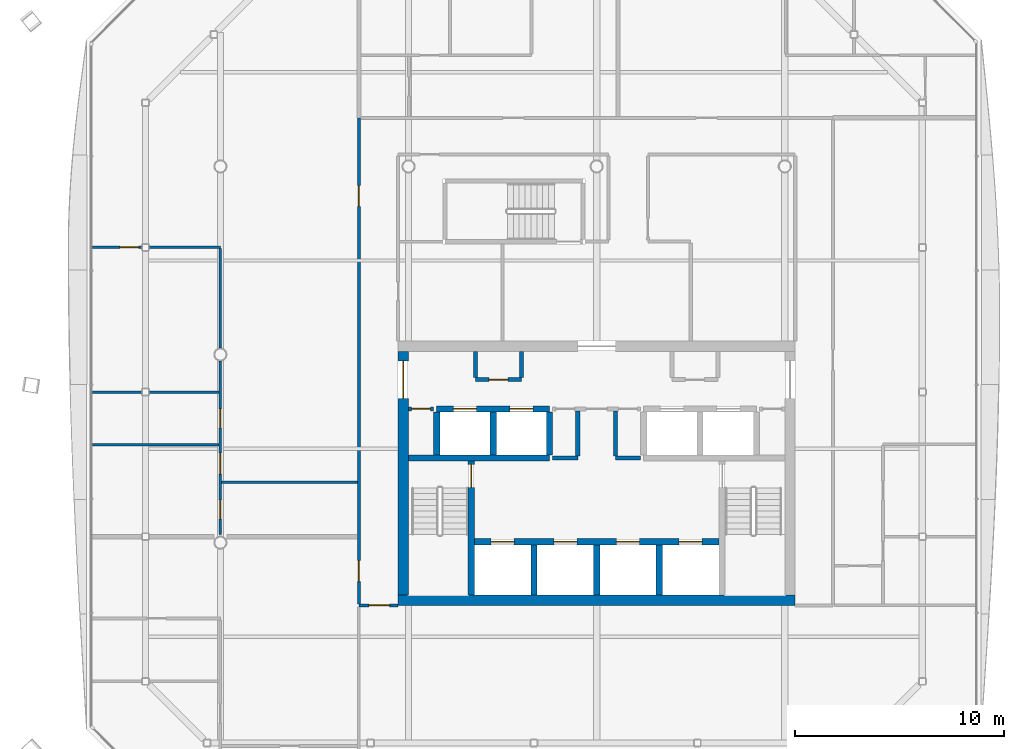
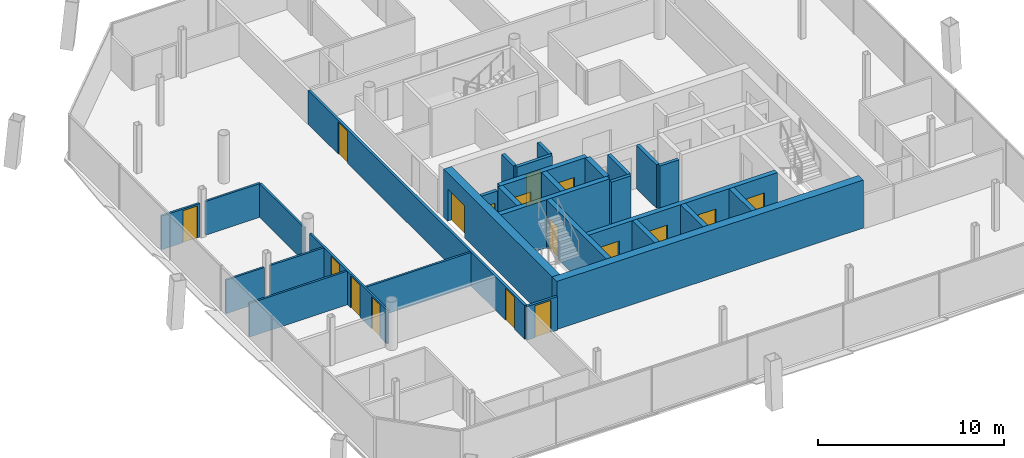
# One storey, part 14 of 20: 30 walls, 17 doors, 17 openings.
"""IFC4 building model written with IfcOpenShell, lengths in metres."""

from ifc_helpers import new_model, si_unit, direction, frame, frame_2d, origin, place, context, subcontext, project, spatial, rectangle, extrude, material, layer, layer_set, type_object, element, fill, save


model = new_model("IFC4")

# Units and contexts
model_context = context("Model", 3, precision=1e-05, world=origin(), true_north=direction((0.0, 1.0)))
body_context = subcontext(model_context, "Body", "Model", "MODEL_VIEW")
ifc_project = project(units=[si_unit("LENGTHUNIT", "METRE"), si_unit("AREAUNIT", "SQUARE_METRE"), si_unit("VOLUMEUNIT", "CUBIC_METRE"), si_unit("PLANEANGLEUNIT", "RADIAN"), si_unit("MASSUNIT", "GRAM", prefix="KILO")], contexts=[model_context])

# Site, building, storey
site_placement = place(None, origin())
site = spatial("IfcSite", under=ifc_project, at=site_placement, CompositionType="ELEMENT")
building_placement = place(site_placement, origin())
building = spatial("IfcBuilding", under=site, at=building_placement, Name="Tskaro Facet Tower", CompositionType="ELEMENT")
storey_placement = place(building_placement, frame((0.0, 0.0, 175.35009765625)))
storey = spatial("IfcBuildingStorey", under=building, at=storey_placement, Name="L43", CompositionType="ELEMENT", Elevation=175.35009765625)

# Wall, openings, doors
ifc_material_1 = material(Name="Concrete C60/75", Category="concrete")
ifc_layer_1 = layer(ifc_material_1, 0.300048828125, Name="Concrete C60/75")
ifc_layer_set_1 = layer_set([ifc_layer_1], Name="Concrete C60/75")
wall_type_1 = type_object("IfcWallType", Name="CORE-SHAFT", PredefinedType="SHEAR", material=ifc_layer_set_1)
wall_1_placement = place(storey_placement, frame((-5.85009765625, -8.949951171875, 0.0), z_axis=(0.0, 0.0, 1.0), x_axis=(1.0, 0.0, 0.0)))
wall_1 = element("IfcWall", 1, at=wall_1_placement, inside=storey, type_object=wall_type_1, Name="Shaft wall W009", PredefinedType="SHEAR", context=body_context, shape_type="SweptSolid", body=[
    extrude(rectangle(XDim=11.7001953125, YDim=0.300048828125, at=frame_2d((5.85009765625, 0.0))), origin(), (0.0, 0.0, 1.0), 3.14990234375),
])
opening_1_placement = place(wall_1_placement, frame((0.800048828125, 0.0, 0.0)))
opening_1 = element("IfcOpeningElement", 2, at=opening_1_placement, cuts=wall_1, Name="Opening LD-FF1", PredefinedType="OPENING", context=body_context, shape_type="SweptSolid", body=[
    extrude(rectangle(XDim=1.10009765625, YDim=2.10009765625, at=frame_2d((0.550048828125, 1.050048828125))), frame((0.0, 0.159912109375, 0.0), z_axis=(0.0, -1.0, 0.0), x_axis=(1.0, 0.0, 0.0)), (0.0, 0.0, 1.0), 0.320068359375),
])
opening_2_placement = place(wall_1_placement, frame((3.800048828125, 0.0, 0.0)))
opening_2 = element("IfcOpeningElement", 3, at=opening_2_placement, cuts=wall_1, Name="Opening LD-FF2", PredefinedType="OPENING", context=body_context, shape_type="SweptSolid", body=[
    extrude(rectangle(XDim=1.10009765625, YDim=2.10009765625, at=frame_2d((0.550048828125, 1.050048828125))), frame((0.0, 0.159912109375, 0.0), z_axis=(0.0, -1.0, 0.0), x_axis=(1.0, 0.0, 0.0)), (0.0, 0.0, 1.0), 0.320068359375),
])
opening_3_placement = place(wall_1_placement, frame((6.800048828125, 0.0, 0.0)))
opening_3 = element("IfcOpeningElement", 4, at=opening_3_placement, cuts=wall_1, Name="Opening LD-SV1", PredefinedType="OPENING", context=body_context, shape_type="SweptSolid", body=[
    extrude(rectangle(XDim=1.10009765625, YDim=2.10009765625, at=frame_2d((0.550048828125, 1.050048828125))), frame((0.0, 0.159912109375, 0.0), z_axis=(0.0, -1.0, 0.0), x_axis=(1.0, 0.0, 0.0)), (0.0, 0.0, 1.0), 0.320068359375),
])
opening_4_placement = place(wall_1_placement, frame((9.800048828125, 0.0, 0.0)))
opening_4 = element("IfcOpeningElement", 5, at=opening_4_placement, cuts=wall_1, Name="Opening LD-SV2", PredefinedType="OPENING", context=body_context, shape_type="SweptSolid", body=[
    extrude(rectangle(XDim=1.10009765625, YDim=2.10009765625, at=frame_2d((0.550048828125, 1.050048828125))), frame((0.0, 0.159912109375, 0.0), z_axis=(0.0, -1.0, 0.0), x_axis=(1.0, 0.0, 0.0)), (0.0, 0.0, 1.0), 0.320068359375),
])
ifc_material_2 = material(Name="Stainless steel", Category="steel")
door_type_1 = type_object("IfcDoorType", Name="D-LANDING", OperationType="NOTDEFINED", PredefinedType="DOOR", material=ifc_material_2)
door_1_placement = place(opening_1_placement, origin())
door_1 = element("IfcDoor", 6, at=door_1_placement, inside=storey, type_object=door_type_1, Name="Landing door FF1", OperationType="DOUBLE_DOOR_SLIDING", OverallHeight=2.10009765625, OverallWidth=1.10009765625, PredefinedType="DOOR", context=body_context, shape_type="SweptSolid", body=[
    extrude(rectangle(XDim=1.10009765625, YDim=2.10009765625, at=frame_2d((0.550048828125, 1.050048828125))), frame((0.0, 0.02490234375, 0.0), z_axis=(0.0, -1.0, 0.0), x_axis=(1.0, 0.0, 0.0)), (0.0, 0.0, 1.0), 0.050048828125),
])
fill(opening_1, door_1)
door_2_placement = place(opening_2_placement, origin())
door_2 = element("IfcDoor", 7, at=door_2_placement, inside=storey, type_object=door_type_1, Name="Landing door FF2", OperationType="DOUBLE_DOOR_SLIDING", OverallHeight=2.10009765625, OverallWidth=1.10009765625, PredefinedType="DOOR", context=body_context, shape_type="SweptSolid", body=[
    extrude(rectangle(XDim=1.10009765625, YDim=2.10009765625, at=frame_2d((0.550048828125, 1.050048828125))), frame((0.0, 0.02490234375, 0.0), z_axis=(0.0, -1.0, 0.0), x_axis=(1.0, 0.0, 0.0)), (0.0, 0.0, 1.0), 0.050048828125),
])
fill(opening_2, door_2)
door_3_placement = place(opening_3_placement, origin())
door_3 = element("IfcDoor", 8, at=door_3_placement, inside=storey, type_object=door_type_1, Name="Landing door SV1", OperationType="DOUBLE_DOOR_SLIDING", OverallHeight=2.10009765625, OverallWidth=1.10009765625, PredefinedType="DOOR", context=body_context, shape_type="SweptSolid", body=[
    extrude(rectangle(XDim=1.10009765625, YDim=2.10009765625, at=frame_2d((0.550048828125, 1.050048828125))), frame((0.0, 0.02490234375, 0.0), z_axis=(0.0, -1.0, 0.0), x_axis=(1.0, 0.0, 0.0)), (0.0, 0.0, 1.0), 0.050048828125),
])
fill(opening_3, door_3)
door_4_placement = place(opening_4_placement, origin())
door_4 = element("IfcDoor", 9, at=door_4_placement, inside=storey, type_object=door_type_1, Name="Landing door SV2", OperationType="DOUBLE_DOOR_SLIDING", OverallHeight=2.10009765625, OverallWidth=1.10009765625, PredefinedType="DOOR", context=body_context, shape_type="SweptSolid", body=[
    extrude(rectangle(XDim=1.10009765625, YDim=2.10009765625, at=frame_2d((0.550048828125, 1.050048828125))), frame((0.0, 0.02490234375, 0.0), z_axis=(0.0, -1.0, 0.0), x_axis=(1.0, 0.0, 0.0)), (0.0, 0.0, 1.0), 0.050048828125),
])
fill(opening_4, door_4)

# Wall
wall_2_placement = place(storey_placement, frame((-9.0, -4.949951171875, 0.0), z_axis=(0.0, 0.0, 1.0), x_axis=(1.0, 0.0, 0.0)))
element("IfcWall", 10, at=wall_2_placement, inside=storey, type_object=wall_type_1, Name="Shaft wall W016", PredefinedType="SHEAR", context=body_context, shape_type="SweptSolid", body=[
    extrude(rectangle(XDim=6.75, YDim=0.300048828125, at=frame_2d((3.375, 0.0))), origin(), (0.0, 0.0, 1.0), 3.14990234375),
])

# Wall, openings, doors
wall_3_placement = place(storey_placement, frame((-7.64990234375, -2.60009765625, 0.0), z_axis=(0.0, 0.0, 1.0), x_axis=(1.0, 0.0, 0.0)))
wall_3 = element("IfcWall", 11, at=wall_3_placement, inside=storey, type_object=wall_type_1, Name="Shaft wall W023", PredefinedType="SHEAR", context=body_context, shape_type="SweptSolid", body=[
    extrude(rectangle(XDim=5.39990234375, YDim=0.300048828125, at=frame_2d((2.699951171875, 0.0))), origin(), (0.0, 0.0, 1.0), 3.14990234375),
])
opening_5_placement = place(wall_3_placement, frame((0.800048828125, 0.0, 0.0)))
opening_5 = element("IfcOpeningElement", 12, at=opening_5_placement, cuts=wall_3, Name="Opening LD-HB1", PredefinedType="OPENING", context=body_context, shape_type="SweptSolid", body=[
    extrude(rectangle(XDim=1.10009765625, YDim=2.10009765625, at=frame_2d((0.550048828125, 1.050048828125))), frame((0.0, 0.159912109375, 0.0), z_axis=(0.0, -1.0, 0.0), x_axis=(1.0, 0.0, 0.0)), (0.0, 0.0, 1.0), 0.320068359375),
])
opening_6_placement = place(wall_3_placement, frame((3.5, 0.0, 0.0)))
opening_6 = element("IfcOpeningElement", 13, at=opening_6_placement, cuts=wall_3, Name="Opening LD-HB2", PredefinedType="OPENING", context=body_context, shape_type="SweptSolid", body=[
    extrude(rectangle(XDim=1.10009765625, YDim=2.10009765625, at=frame_2d((0.550048828125, 1.050048828125))), frame((0.0, 0.159912109375, 0.0), z_axis=(0.0, -1.0, 0.0), x_axis=(1.0, 0.0, 0.0)), (0.0, 0.0, 1.0), 0.320068359375),
])
door_5_placement = place(opening_5_placement, origin())
door_5 = element("IfcDoor", 14, at=door_5_placement, inside=storey, type_object=door_type_1, Name="Landing door HB1", OperationType="DOUBLE_DOOR_SLIDING", OverallHeight=2.10009765625, OverallWidth=1.10009765625, PredefinedType="DOOR", context=body_context, shape_type="SweptSolid", body=[
    extrude(rectangle(XDim=1.10009765625, YDim=2.10009765625, at=frame_2d((0.550048828125, 1.050048828125))), frame((0.0, 0.02490234375, 0.0), z_axis=(0.0, -1.0, 0.0), x_axis=(1.0, 0.0, 0.0)), (0.0, 0.0, 1.0), 0.050048828125),
])
fill(opening_5, door_5)
door_6_placement = place(opening_6_placement, origin())
door_6 = element("IfcDoor", 15, at=door_6_placement, inside=storey, type_object=door_type_1, Name="Landing door HB2", OperationType="DOUBLE_DOOR_SLIDING", OverallHeight=2.10009765625, OverallWidth=1.10009765625, PredefinedType="DOOR", context=body_context, shape_type="SweptSolid", body=[
    extrude(rectangle(XDim=1.10009765625, YDim=2.10009765625, at=frame_2d((0.550048828125, 1.050048828125))), frame((0.0, 0.02490234375, 0.0), z_axis=(0.0, -1.0, 0.0), x_axis=(1.0, 0.0, 0.0)), (0.0, 0.0, 1.0), 0.050048828125),
])
fill(opening_6, door_6)

# Wall
wall_4_placement = place(storey_placement, frame((-7.64990234375, -4.800048828125, 0.0), z_axis=(0.0, 0.0, 1.0), x_axis=(0.0, 1.0, 0.0)))
element("IfcWall", 16, at=wall_4_placement, inside=storey, type_object=wall_type_1, Name="Shaft wall W055", PredefinedType="SHEAR", context=body_context, shape_type="SweptSolid", body=[
    extrude(rectangle(XDim=2.050048828125, YDim=0.300048828125, at=frame_2d((1.02490234375, 0.0))), origin(), (0.0, 0.0, 1.0), 3.14990234375),
])

# Wall, opening, door
wall_5_placement = place(storey_placement, frame((-6.0, -11.5, 0.0), z_axis=(0.0, 0.0, 1.0), x_axis=(0.0, 1.0, 0.0)))
wall_5 = element("IfcWall", 17, at=wall_5_placement, inside=storey, type_object=wall_type_1, Name="Shaft wall W059", PredefinedType="SHEAR", context=body_context, shape_type="SweptSolid", body=[
    extrude(rectangle(XDim=6.39990234375, YDim=0.300048828125, at=frame_2d((3.199951171875, 0.0))), origin(), (0.0, 0.0, 1.0), 3.14990234375),
])
opening_7_placement = place(wall_5_placement, frame((5.14990234375, 0.0, 0.0)))
opening_7 = element("IfcOpeningElement", 18, at=opening_7_placement, cuts=wall_5, Name="Opening ST-1-D1", PredefinedType="OPENING", context=body_context, shape_type="SweptSolid", body=[
    extrude(rectangle(XDim=1.10009765625, YDim=2.10009765625, at=frame_2d((0.550048828125, 1.050048828125))), frame((0.0, 0.159912109375, 0.0), z_axis=(0.0, -1.0, 0.0), x_axis=(1.0, 0.0, 0.0)), (0.0, 0.0, 1.0), 0.320068359375),
])
ifc_material_3 = material(Name="Steel", Category="steel")
door_type_2 = type_object("IfcDoorType", Name="D-STAIR", OperationType="NOTDEFINED", PredefinedType="DOOR", material=ifc_material_3)
door_7_placement = place(opening_7_placement, origin())
door_7 = element("IfcDoor", 19, at=door_7_placement, inside=storey, type_object=door_type_2, Name="Stair door 1", OperationType="SINGLE_SWING_LEFT", OverallHeight=2.10009765625, OverallWidth=1.10009765625, PredefinedType="DOOR", context=body_context, shape_type="SweptSolid", body=[
    extrude(rectangle(XDim=1.10009765625, YDim=2.10009765625, at=frame_2d((0.550048828125, 1.050048828125))), frame((0.0, 0.02490234375, 0.0), z_axis=(0.0, -1.0, 0.0), x_axis=(1.0, 0.0, 0.0)), (0.0, 0.0, 1.0), 0.050048828125),
])
fill(opening_7, door_7)

# Walls
wall_6_placement = place(storey_placement, frame((-4.949951171875, -4.800048828125, 0.0), z_axis=(0.0, 0.0, 1.0), x_axis=(0.0, 1.0, 0.0)))
element("IfcWall", 20, at=wall_6_placement, inside=storey, type_object=wall_type_1, Name="Shaft wall W061", PredefinedType="SHEAR", context=body_context, shape_type="SweptSolid", body=[
    extrude(rectangle(XDim=2.050048828125, YDim=0.300048828125, at=frame_2d((1.02490234375, 0.0))), origin(), (0.0, 0.0, 1.0), 3.14990234375),
])
wall_7_placement = place(storey_placement, frame((-3.0, -11.5, 0.0), z_axis=(0.0, 0.0, 1.0), x_axis=(0.0, 1.0, 0.0)))
element("IfcWall", 21, at=wall_7_placement, inside=storey, type_object=wall_type_1, Name="Shaft wall W065", PredefinedType="SHEAR", context=body_context, shape_type="SweptSolid", body=[
    extrude(rectangle(XDim=2.39990234375, YDim=0.300048828125, at=frame_2d((1.199951171875, 0.0))), origin(), (0.0, 0.0, 1.0), 3.14990234375),
])
wall_8_placement = place(storey_placement, frame((-2.25, -4.800048828125, 0.0), z_axis=(0.0, 0.0, 1.0), x_axis=(0.0, 1.0, 0.0)))
element("IfcWall", 22, at=wall_8_placement, inside=storey, type_object=wall_type_1, Name="Shaft wall W066", PredefinedType="SHEAR", context=body_context, shape_type="SweptSolid", body=[
    extrude(rectangle(XDim=2.050048828125, YDim=0.300048828125, at=frame_2d((1.02490234375, 0.0))), origin(), (0.0, 0.0, 1.0), 3.14990234375),
])
for number, where, z_axis, x_axis, name in (
    (23, (0.0, -11.5, 0.0), (0.0, 0.0, 1.0), (0.0, 1.0, 0.0), "Shaft wall W069"),
    (24, (3.0, -11.5, 0.0), (0.0, 0.0, 1.0), (0.0, 1.0, 0.0), "Shaft wall W076"),
):
    element("IfcWall", number, at=place(storey_placement, frame(where, z_axis=z_axis, x_axis=x_axis)), inside=storey, type_object=wall_type_1, Name=name, PredefinedType="SHEAR", context=body_context, shape_type="SweptSolid", body=[
        extrude(rectangle(XDim=2.39990234375, YDim=0.300048828125, at=frame_2d((1.199951171875, 0.0))), origin(), (0.0, 0.0, 1.0), 3.14990234375),
    ])
ifc_material_4 = material(Name="Concrete C20/25", Category="concrete")
ifc_layer_2 = layer(ifc_material_4, 0.199951171875, Name="Concrete C20/25")
ifc_layer_set_2 = layer_set([ifc_layer_2], Name="Concrete C20/25")
wall_type_2 = type_object("IfcWallType", Name="CORE-WALL", PredefinedType="SOLIDWALL", material=ifc_layer_set_2)
for number, where, z_axis, x_axis, name in (
    (25, (-2.10009765625, -4.949951171875, 0.0), (0.0, 0.0, 1.0), (1.0, 0.0, 0.0), "Core room wall W017"),
    (26, (0.89990234375, -4.949951171875, 0.0), (0.0, 0.0, 1.0), (1.0, 0.0, 0.0), "Core room wall W018"),
):
    element("IfcWall", number, at=place(storey_placement, frame(where, z_axis=z_axis, x_axis=x_axis)), inside=storey, type_object=wall_type_2, Name=name, PredefinedType="SOLIDWALL", context=body_context, shape_type="SweptSolid", body=[
        extrude(rectangle(XDim=1.2001953125, YDim=0.199951171875, at=frame_2d((0.60009765625, 0.0))), origin(), (0.0, 0.0, 1.0), 2.849853515625),
    ])

# Wall, opening, door
wall_9_placement = place(storey_placement, frame((-7.800048828125, -2.60009765625, 0.0), z_axis=(0.0, 0.0, 1.0), x_axis=(-1.0, 0.0, 0.0)))
wall_9 = element("IfcWall", 27, at=wall_9_placement, inside=storey, type_object=wall_type_2, Name="Core room wall W022", PredefinedType="SOLIDWALL", context=body_context, shape_type="SweptSolid", body=[
    extrude(rectangle(XDim=1.199951171875, YDim=0.199951171875, at=frame_2d((0.60009765625, 0.0))), origin(), (0.0, 0.0, 1.0), 2.849853515625),
])
opening_8_placement = place(wall_9_placement, frame((0.14990234375, 0.0, 0.0)))
opening_8 = element("IfcOpeningElement", 28, at=opening_8_placement, cuts=wall_9, Name="Opening T12-D12", PredefinedType="OPENING", context=body_context, shape_type="SweptSolid", body=[
    extrude(rectangle(XDim=0.89990234375, YDim=2.10009765625, at=frame_2d((0.449951171875, 1.050048828125))), frame((0.0, 0.10986328125, 0.0), z_axis=(0.0, -1.0, 0.0), x_axis=(1.0, 0.0, 0.0)), (0.0, 0.0, 1.0), 0.219970703125),
])
ifc_material_5 = material(Name="Timber", Category="wood")
door_type_3 = type_object("IfcDoorType", Name="D-ROOM", OperationType="NOTDEFINED", PredefinedType="DOOR", material=ifc_material_5)
door_8_placement = place(opening_8_placement, origin())
door_8 = element("IfcDoor", 29, at=door_8_placement, inside=storey, type_object=door_type_3, Name="Door T12-D12", OperationType="SINGLE_SWING_RIGHT", OverallHeight=2.10009765625, OverallWidth=0.89990234375, PredefinedType="DOOR", context=body_context, shape_type="SweptSolid", body=[
    extrude(rectangle(XDim=0.89990234375, YDim=2.10009765625, at=frame_2d((0.449951171875, 1.050048828125))), frame((0.0, 0.02490234375, 0.0), z_axis=(0.0, -1.0, 0.0), x_axis=(1.0, 0.0, 0.0)), (0.0, 0.0, 1.0), 0.050048828125),
])
fill(opening_8, door_8)

wall_10_placement = place(storey_placement, frame((-5.800048828125, -1.199951171875, 0.0), z_axis=(0.0, 0.0, 1.0), x_axis=(1.0, 0.0, 0.0)))
wall_10 = element("IfcWall", 30, at=wall_10_placement, inside=storey, type_object=wall_type_2, Name="Core room wall W029", PredefinedType="SOLIDWALL", context=body_context, shape_type="SweptSolid", body=[
    extrude(rectangle(XDim=2.199951171875, YDim=0.199951171875, at=frame_2d((1.10009765625, 0.0))), origin(), (0.0, 0.0, 1.0), 2.849853515625),
])
opening_9_placement = place(wall_10_placement, frame((0.64990234375, 0.0, 0.0)))
opening_9 = element("IfcOpeningElement", 31, at=opening_9_placement, cuts=wall_10, Name="Opening T12-D17", PredefinedType="OPENING", context=body_context, shape_type="SweptSolid", body=[
    extrude(rectangle(XDim=0.89990234375, YDim=2.10009765625, at=frame_2d((0.449951171875, 1.050048828125))), frame((0.0, 0.10986328125, 0.0), z_axis=(0.0, -1.0, 0.0), x_axis=(1.0, 0.0, 0.0)), (0.0, 0.0, 1.0), 0.219970703125),
])
door_9_placement = place(opening_9_placement, origin())
door_9 = element("IfcDoor", 32, at=door_9_placement, inside=storey, type_object=door_type_3, Name="Door T12-D17", OperationType="SINGLE_SWING_LEFT", OverallHeight=2.10009765625, OverallWidth=0.89990234375, PredefinedType="DOOR", context=body_context, shape_type="SweptSolid", body=[
    extrude(rectangle(XDim=0.89990234375, YDim=2.10009765625, at=frame_2d((0.449951171875, 1.050048828125))), frame((0.0, 0.02490234375, 0.0), z_axis=(0.0, -1.0, 0.0), x_axis=(1.0, 0.0, 0.0)), (0.0, 0.0, 1.0), 0.050048828125),
])
fill(opening_9, door_9)

# Walls
for number, where, z_axis, x_axis, name in (
    (33, (-5.800048828125, -1.10009765625, 0.0), (0.0, 0.0, 1.0), (0.0, 1.0, 0.0), "Core room wall W060"),
    (34, (-3.60009765625, -1.10009765625, 0.0), (0.0, 0.0, 1.0), (0.0, 1.0, 0.0), "Core room wall W063"),
):
    element("IfcWall", number, at=place(storey_placement, frame(where, z_axis=z_axis, x_axis=x_axis)), inside=storey, type_object=wall_type_2, Name=name, PredefinedType="SOLIDWALL", context=body_context, shape_type="SweptSolid", body=[
        extrude(rectangle(XDim=1.25, YDim=0.199951171875, at=frame_2d((0.625, 0.0))), origin(), (0.0, 0.0, 1.0), 2.849853515625),
    ])
for number, where, z_axis, x_axis, name in (
    (35, (-0.89990234375, -4.85009765625, 0.0), (0.0, 0.0, 1.0), (0.0, 1.0, 0.0), "Core room wall W067"),
    (36, (0.89990234375, -4.85009765625, 0.0), (0.0, 0.0, 1.0), (0.0, 1.0, 0.0), "Core room wall W071"),
):
    element("IfcWall", number, at=place(storey_placement, frame(where, z_axis=z_axis, x_axis=x_axis)), inside=storey, type_object=wall_type_2, Name=name, PredefinedType="SOLIDWALL", context=body_context, shape_type="SweptSolid", body=[
        extrude(rectangle(XDim=2.150146484375, YDim=0.199951171875, at=frame_2d((1.0751953125, 0.0))), origin(), (0.0, 0.0, 1.0), 2.849853515625),
    ])
ifc_material_6 = material(Name="Concrete C40/50", Category="concrete")
ifc_layer_3 = layer(ifc_material_6, 0.5, Name="Concrete C40/50")
ifc_layer_set_3 = layer_set([ifc_layer_3], Name="Concrete C40/50")
wall_type_3 = type_object("IfcWallType", Name="Core wall 500", PredefinedType="SHEAR", material=ifc_layer_set_3)
wall_11_placement = place(storey_placement, frame((-9.5, -11.75, 0.0), z_axis=(0.0, 0.0, 1.0), x_axis=(1.0, 0.0, 0.0)))
element("IfcWall", 37, at=wall_11_placement, inside=storey, type_object=wall_type_3, Name="Core wall CW-Z3S", PredefinedType="SHEAR", context=body_context, shape_type="SweptSolid", body=[
    extrude(rectangle(XDim=19.0, YDim=0.5, at=frame_2d((9.5, 0.0))), origin(), (0.0, 0.0, 1.0), 3.14990234375),
])

# Wall, opening, door
wall_12_placement = place(storey_placement, frame((-9.25, -11.5, 0.0), z_axis=(0.0, 0.0, 1.0), x_axis=(0.0, 1.0, 0.0)))
wall_12 = element("IfcWall", 38, at=wall_12_placement, inside=storey, type_object=wall_type_3, Name="Core wall CW-Z3W", PredefinedType="SHEAR", context=body_context, shape_type="SweptSolid", body=[
    extrude(rectangle(XDim=11.64990234375, YDim=0.5, at=frame_2d((5.824951171875, 0.0))), origin(), (0.0, 0.0, 1.0), 3.14990234375),
])
opening_10_placement = place(wall_12_placement, frame((9.39990234375, 0.0, 0.0)))
opening_10 = element("IfcOpeningElement", 39, at=opening_10_placement, cuts=wall_12, Name="Opening T12-D16", PredefinedType="OPENING", context=body_context, shape_type="SweptSolid", body=[
    extrude(rectangle(XDim=1.800048828125, YDim=2.10009765625, at=frame_2d((0.89990234375, 1.050048828125))), frame((0.0, 0.260009765625, 0.0), z_axis=(0.0, -1.0, 0.0), x_axis=(1.0, 0.0, 0.0)), (0.0, 0.0, 1.0), 0.52001953125),
])
door_type_4 = type_object("IfcDoorType", Name="D-CORE-PAIR", OperationType="NOTDEFINED", PredefinedType="DOOR", material=ifc_material_3)
door_10_placement = place(opening_10_placement, origin())
door_10 = element("IfcDoor", 40, at=door_10_placement, inside=storey, type_object=door_type_4, Name="Door T12-D16", OperationType="DOUBLE_DOOR_SINGLE_SWING", OverallHeight=2.10009765625, OverallWidth=1.800048828125, PredefinedType="DOOR", context=body_context, shape_type="SweptSolid", body=[
    extrude(rectangle(XDim=1.800048828125, YDim=2.10009765625, at=frame_2d((0.89990234375, 1.050048828125))), frame((0.0, 0.02490234375, 0.0), z_axis=(0.0, -1.0, 0.0), x_axis=(1.0, 0.0, 0.0)), (0.0, 0.0, 1.0), 0.050048828125),
])
fill(opening_10, door_10)

# Walls
ifc_material_7 = material(Name="Gypsum board on steel studs", Category="steel")
ifc_layer_4 = layer(ifc_material_7, 0.125, Name="Gypsum board on steel studs")
ifc_layer_set_4 = layer_set([ifc_layer_4], Name="Gypsum board on steel studs")
wall_type_4 = type_object("IfcWallType", Name="PART", PredefinedType="PARTITIONING", material=ifc_layer_set_4)
wall_13_placement = place(storey_placement, frame((-17.9375, -6.114990234375, 0.0), z_axis=(0.0, 0.0, 1.0), x_axis=(1.0, 0.0, 0.0)))
element("IfcWall", 41, at=wall_13_placement, inside=storey, type_object=wall_type_4, Name="Partition W015", PredefinedType="PARTITIONING", context=body_context, shape_type="SweptSolid", body=[
    extrude(rectangle(XDim=6.487548828125, YDim=0.125, at=frame_2d((3.24365234375, 0.0))), origin(), (0.0, 0.0, 1.0), 2.2099609375),
])
wall_14_placement = place(storey_placement, frame((-24.125, -4.31494140625, 0.0), z_axis=(0.0, 0.0, 1.0), x_axis=(1.0, 0.0, 0.0)))
element("IfcWall", 42, at=wall_14_placement, inside=storey, type_object=wall_type_4, Name="Partition W020", PredefinedType="PARTITIONING", context=body_context, shape_type="SweptSolid", body=[
    extrude(rectangle(XDim=6.0625, YDim=0.125, at=frame_2d((3.03125, 0.0))), origin(), (0.0, 0.0, 1.0), 2.2099609375),
])
wall_15_placement = place(storey_placement, frame((-24.125, -1.794921875, 0.0), z_axis=(0.0, 0.0, 1.0), x_axis=(1.0, 0.0, 0.0)))
element("IfcWall", 43, at=wall_15_placement, inside=storey, type_object=wall_type_4, Name="Partition W027", PredefinedType="PARTITIONING", context=body_context, shape_type="SweptSolid", body=[
    extrude(rectangle(XDim=2.366943359375, YDim=0.125, at=frame_2d((1.18359375, 0.0))), origin(), (0.0, 0.0, 1.0), 2.2099609375),
])
wall_16_placement = place(storey_placement, frame((-21.407958984375, -1.794921875, 0.0), z_axis=(0.0, 0.0, 1.0), x_axis=(1.0, 0.0, 0.0)))
element("IfcWall", 44, at=wall_16_placement, inside=storey, type_object=wall_type_4, Name="Partition W028", PredefinedType="PARTITIONING", context=body_context, shape_type="SweptSolid", body=[
    extrude(rectangle(XDim=3.345458984375, YDim=0.125, at=frame_2d((1.6728515625, 0.0))), origin(), (0.0, 0.0, 1.0), 2.2099609375),
])

# Wall, opening, door
wall_17_placement = place(storey_placement, frame((-21.758056640625, 5.125, 0.0), z_axis=(0.0, 0.0, 1.0), x_axis=(-1.0, 0.0, 0.0)))
wall_17 = element("IfcWall", 45, at=wall_17_placement, inside=storey, type_object=wall_type_4, Name="Partition W031", PredefinedType="PARTITIONING", context=body_context, shape_type="SweptSolid", body=[
    extrude(rectangle(XDim=2.366943359375, YDim=0.125, at=frame_2d((1.18359375, 0.0))), origin(), (0.0, 0.0, 1.0), 2.2099609375),
])
opening_11_placement = place(wall_17_placement, frame((0.14990234375, 0.0, 0.0)))
opening_11 = element("IfcOpeningElement", 46, at=opening_11_placement, cuts=wall_17, Name="Opening T12-D23", PredefinedType="OPENING", context=body_context, shape_type="SweptSolid", body=[
    extrude(rectangle(XDim=0.89990234375, YDim=2.10009765625, at=frame_2d((0.449951171875, 1.050048828125))), frame((0.0, 0.072509765625, 0.0), z_axis=(0.0, -1.0, 0.0), x_axis=(1.0, 0.0, 0.0)), (0.0, 0.0, 1.0), 0.14501953125),
])
door_11_placement = place(opening_11_placement, origin())
door_11 = element("IfcDoor", 47, at=door_11_placement, inside=storey, type_object=door_type_3, Name="Door T12-D23", OperationType="SINGLE_SWING_RIGHT", OverallHeight=2.10009765625, OverallWidth=0.89990234375, PredefinedType="DOOR", context=body_context, shape_type="SweptSolid", body=[
    extrude(rectangle(XDim=0.89990234375, YDim=2.10009765625, at=frame_2d((0.449951171875, 1.050048828125))), frame((0.0, 0.02490234375, 0.0), z_axis=(0.0, -1.0, 0.0), x_axis=(1.0, 0.0, 0.0)), (0.0, 0.0, 1.0), 0.050048828125),
])
fill(opening_11, door_11)

# Wall
wall_18_placement = place(storey_placement, frame((-21.407958984375, 5.125, 0.0), z_axis=(0.0, 0.0, 1.0), x_axis=(1.0, 0.0, 0.0)))
element("IfcWall", 48, at=wall_18_placement, inside=storey, type_object=wall_type_4, Name="Partition W032", PredefinedType="PARTITIONING", context=body_context, shape_type="SweptSolid", body=[
    extrude(rectangle(XDim=3.407958984375, YDim=0.125, at=frame_2d((1.7041015625, 0.0))), origin(), (0.0, 0.0, 1.0), 2.2099609375),
])

# Wall, openings, doors
wall_19_placement = place(storey_placement, frame((-18.0, -8.614990234375, 0.0), z_axis=(0.0, 0.0, 1.0), x_axis=(0.0, 1.0, 0.0)))
wall_19 = element("IfcWall", 49, at=wall_19_placement, inside=storey, type_object=wall_type_4, Name="Partition W047", PredefinedType="PARTITIONING", context=body_context, shape_type="SweptSolid", body=[
    extrude(rectangle(XDim=8.31005859375, YDim=0.125, at=frame_2d((4.155029296875, 0.0))), origin(), (0.0, 0.0, 1.0), 2.2099609375),
])
opening_12_placement = place(wall_19_placement, frame((5.110107421875, 0.0, 0.0)))
opening_12 = element("IfcOpeningElement", 50, at=opening_12_placement, cuts=wall_19, Name="Opening T12-D11", PredefinedType="OPENING", context=body_context, shape_type="SweptSolid", body=[
    extrude(rectangle(XDim=0.89990234375, YDim=2.10009765625, at=frame_2d((0.449951171875, 1.050048828125))), frame((0.0, 0.072509765625, 0.0), z_axis=(0.0, -1.0, 0.0), x_axis=(1.0, 0.0, 0.0)), (0.0, 0.0, 1.0), 0.14501953125),
])
opening_13_placement = place(wall_19_placement, frame((2.89990234375, 0.0, 0.0)))
opening_13 = element("IfcOpeningElement", 51, at=opening_13_placement, cuts=wall_19, Name="Opening T12-D10", PredefinedType="OPENING", context=body_context, shape_type="SweptSolid", body=[
    extrude(rectangle(XDim=1.0, YDim=2.10009765625, at=frame_2d((0.5, 1.050048828125))), frame((0.0, 0.072509765625, 0.0), z_axis=(0.0, -1.0, 0.0), x_axis=(1.0, 0.0, 0.0)), (0.0, 0.0, 1.0), 0.14501953125),
])
opening_14_placement = place(wall_19_placement, frame((0.75, 0.0, 0.0)))
opening_14 = element("IfcOpeningElement", 52, at=opening_14_placement, cuts=wall_19, Name="Opening T12-D08", PredefinedType="OPENING", context=body_context, shape_type="SweptSolid", body=[
    extrude(rectangle(XDim=0.89990234375, YDim=2.10009765625, at=frame_2d((0.449951171875, 1.050048828125))), frame((0.0, 0.072509765625, 0.0), z_axis=(0.0, -1.0, 0.0), x_axis=(1.0, 0.0, 0.0)), (0.0, 0.0, 1.0), 0.14501953125),
])
door_12_placement = place(opening_12_placement, origin())
door_12 = element("IfcDoor", 53, at=door_12_placement, inside=storey, type_object=door_type_3, Name="Door T12-D11", OperationType="SINGLE_SWING_LEFT", OverallHeight=2.10009765625, OverallWidth=0.89990234375, PredefinedType="DOOR", context=body_context, shape_type="SweptSolid", body=[
    extrude(rectangle(XDim=0.89990234375, YDim=2.10009765625, at=frame_2d((0.449951171875, 1.050048828125))), frame((0.0, 0.02490234375, 0.0), z_axis=(0.0, -1.0, 0.0), x_axis=(1.0, 0.0, 0.0)), (0.0, 0.0, 1.0), 0.050048828125),
])
fill(opening_12, door_12)
door_13_placement = place(opening_14_placement, origin())
door_13 = element("IfcDoor", 54, at=door_13_placement, inside=storey, type_object=door_type_3, Name="Door T12-D08", OperationType="SINGLE_SWING_LEFT", OverallHeight=2.10009765625, OverallWidth=0.89990234375, PredefinedType="DOOR", context=body_context, shape_type="SweptSolid", body=[
    extrude(rectangle(XDim=0.89990234375, YDim=2.10009765625, at=frame_2d((0.449951171875, 1.050048828125))), frame((0.0, 0.02490234375, 0.0), z_axis=(0.0, -1.0, 0.0), x_axis=(1.0, 0.0, 0.0)), (0.0, 0.0, 1.0), 0.050048828125),
])
fill(opening_14, door_13)
door_type_5 = type_object("IfcDoorType", Name="D-ROOM-WIDE", OperationType="NOTDEFINED", PredefinedType="DOOR", material=ifc_material_5)
door_14_placement = place(opening_13_placement, origin())
door_14 = element("IfcDoor", 55, at=door_14_placement, inside=storey, type_object=door_type_5, Name="Door T12-D10", OperationType="SINGLE_SWING_RIGHT", OverallHeight=2.10009765625, OverallWidth=1.0, PredefinedType="DOOR", context=body_context, shape_type="SweptSolid", body=[
    extrude(rectangle(XDim=1.0, YDim=2.10009765625, at=frame_2d((0.5, 1.050048828125))), frame((0.0, 0.02490234375, 0.0), z_axis=(0.0, -1.0, 0.0), x_axis=(1.0, 0.0, 0.0)), (0.0, 0.0, 1.0), 0.050048828125),
])
fill(opening_13, door_14)

# Wall
wall_20_placement = place(storey_placement, frame((-18.0, 0.304931640625, 0.0), z_axis=(0.0, 0.0, 1.0), x_axis=(0.0, 1.0, 0.0)))
element("IfcWall", 56, at=wall_20_placement, inside=storey, type_object=wall_type_4, Name="Partition W048", PredefinedType="PARTITIONING", context=body_context, shape_type="SweptSolid", body=[
    extrude(rectangle(XDim=4.757568359375, YDim=0.125, at=frame_2d((2.37890625, 0.0))), origin(), (0.0, 0.0, 1.0), 2.2099609375),
])

# Wall, opening, door
ifc_layer_5 = layer(ifc_material_7, 0.14990234375, Name="Gypsum board on steel studs")
ifc_layer_set_5 = layer_set([ifc_layer_5], Name="Gypsum board on steel studs")
wall_type_5 = type_object("IfcWallType", Name="PART-CORR", PredefinedType="PARTITIONING", material=ifc_layer_set_5)
wall_21_placement = place(storey_placement, frame((-9.5, -12.0, 0.0), z_axis=(0.0, 0.0, 1.0), x_axis=(-1.0, 0.0, 0.0)))
wall_21 = element("IfcWall", 57, at=wall_21_placement, inside=storey, type_object=wall_type_5, Name="Corridor wall W005", PredefinedType="PARTITIONING", context=body_context, shape_type="SweptSolid", body=[
    extrude(rectangle(XDim=1.875, YDim=0.14990234375, at=frame_2d((0.9375, 0.0))), origin(), (0.0, 0.0, 1.0), 2.2099609375),
])
opening_15_placement = place(wall_21_placement, frame((0.39990234375, 0.0, 0.0)))
opening_15 = element("IfcOpeningElement", 58, at=opening_15_placement, cuts=wall_21, Name="Opening T12-D04", PredefinedType="OPENING", context=body_context, shape_type="SweptSolid", body=[
    extrude(rectangle(XDim=1.0, YDim=2.10009765625, at=frame_2d((0.5, 1.050048828125))), frame((0.0, 0.0849609375, 0.0), z_axis=(0.0, -1.0, 0.0), x_axis=(1.0, 0.0, 0.0)), (0.0, 0.0, 1.0), 0.169921875),
])
door_15_placement = place(opening_15_placement, origin())
door_15 = element("IfcDoor", 59, at=door_15_placement, inside=storey, type_object=door_type_5, Name="Door T12-D04", OperationType="SINGLE_SWING_RIGHT", OverallHeight=2.10009765625, OverallWidth=1.0, PredefinedType="DOOR", context=body_context, shape_type="SweptSolid", body=[
    extrude(rectangle(XDim=1.0, YDim=2.10009765625, at=frame_2d((0.5, 1.050048828125))), frame((0.0, 0.02490234375, 0.0), z_axis=(0.0, -1.0, 0.0), x_axis=(1.0, 0.0, 0.0)), (0.0, 0.0, 1.0), 0.050048828125),
])
fill(opening_15, door_15)

# Wall, openings, doors
wall_22_placement = place(storey_placement, frame((-11.375, -11.925048828125, 0.0), z_axis=(0.0, 0.0, 1.0), x_axis=(0.0, 1.0, 0.0)))
wall_22 = element("IfcWall", 60, at=wall_22_placement, inside=storey, type_object=wall_type_5, Name="Corridor wall W051", PredefinedType="PARTITIONING", context=body_context, shape_type="SweptSolid", body=[
    extrude(rectangle(XDim=23.25, YDim=0.14990234375, at=frame_2d((11.625, 0.0))), origin(), (0.0, 0.0, 1.0), 2.2099609375),
])
opening_16_placement = place(wall_22_placement, frame((1.0673828125, 0.0, 0.0)))
opening_16 = element("IfcOpeningElement", 61, at=opening_16_placement, cuts=wall_22, Name="Opening T12-D05", PredefinedType="OPENING", context=body_context, shape_type="SweptSolid", body=[
    extrude(rectangle(XDim=1.0, YDim=2.10009765625, at=frame_2d((0.5, 1.050048828125))), frame((0.0, 0.0849609375, 0.0), z_axis=(0.0, -1.0, 0.0), x_axis=(1.0, 0.0, 0.0)), (0.0, 0.0, 1.0), 0.169921875),
])
opening_17_placement = place(wall_22_placement, frame((19.010009765625, 0.0, 0.0)))
opening_17 = element("IfcOpeningElement", 62, at=opening_17_placement, cuts=wall_22, Name="Opening T12-D25", PredefinedType="OPENING", context=body_context, shape_type="SweptSolid", body=[
    extrude(rectangle(XDim=1.0, YDim=2.10009765625, at=frame_2d((0.5, 1.050048828125))), frame((0.0, 0.0849609375, 0.0), z_axis=(0.0, -1.0, 0.0), x_axis=(1.0, 0.0, 0.0)), (0.0, 0.0, 1.0), 0.169921875),
])
door_type_6 = type_object("IfcDoorType", Name="D-FLAT-ENTRY", OperationType="NOTDEFINED", PredefinedType="DOOR", material=ifc_material_5)
door_16_placement = place(opening_16_placement, origin())
door_16 = element("IfcDoor", 63, at=door_16_placement, inside=storey, type_object=door_type_6, Name="Door T12-D05", OperationType="SINGLE_SWING_LEFT", OverallHeight=2.10009765625, OverallWidth=1.0, PredefinedType="DOOR", context=body_context, shape_type="SweptSolid", body=[
    extrude(rectangle(XDim=1.0, YDim=2.10009765625, at=frame_2d((0.5, 1.050048828125))), frame((0.0, 0.02490234375, 0.0), z_axis=(0.0, -1.0, 0.0), x_axis=(1.0, 0.0, 0.0)), (0.0, 0.0, 1.0), 0.050048828125),
])
fill(opening_16, door_16)
door_17_placement = place(opening_17_placement, origin())
door_17 = element("IfcDoor", 64, at=door_17_placement, inside=storey, type_object=door_type_6, Name="Door T12-D25", OperationType="SINGLE_SWING_LEFT", OverallHeight=2.10009765625, OverallWidth=1.0, PredefinedType="DOOR", context=body_context, shape_type="SweptSolid", body=[
    extrude(rectangle(XDim=1.0, YDim=2.10009765625, at=frame_2d((0.5, 1.050048828125))), frame((0.0, 0.02490234375, 0.0), z_axis=(0.0, -1.0, 0.0), x_axis=(1.0, 0.0, 0.0)), (0.0, 0.0, 1.0), 0.050048828125),
])
fill(opening_17, door_17)

save(model, "model.ifc")
